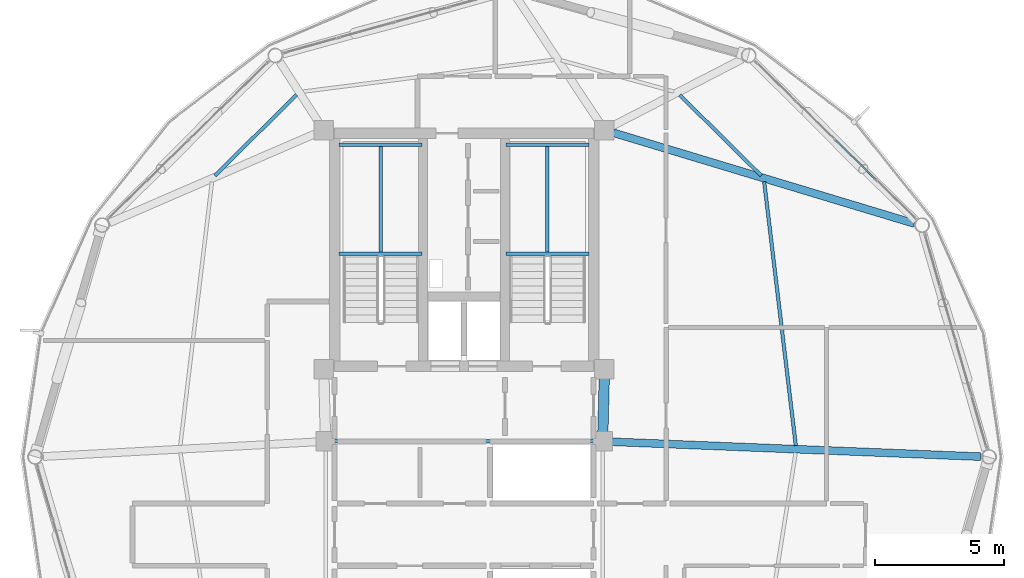
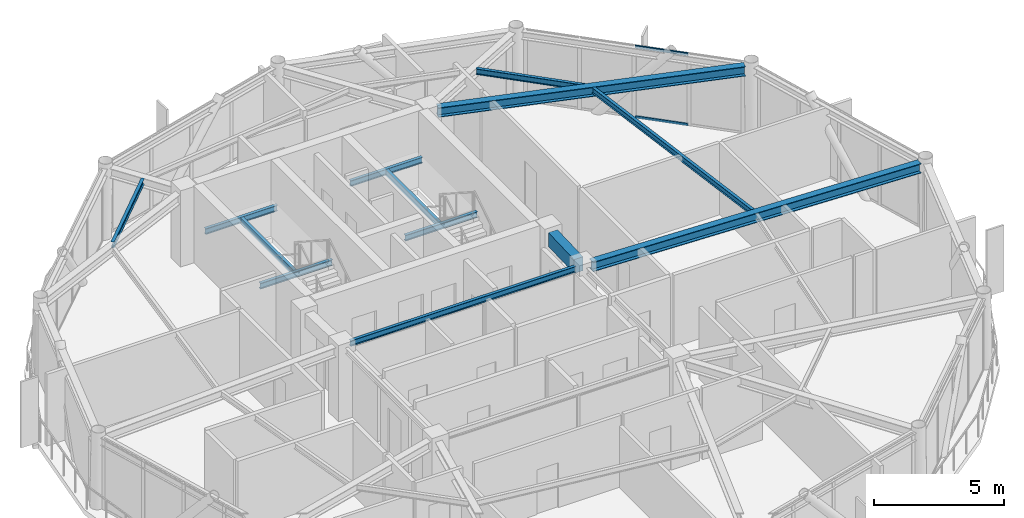
# One storey, part 13 of 25: 13 beams, 2 members, 1 element without a shape of its own.
"""IFC4 building model written with IfcOpenShell, lengths in metres."""

from ifc_helpers import new_model, si_unit, direction, frame, origin, origin_2d, place, context, subcontext, project, spatial, rectangle, hollow_rectangle, i_section, extrude, material, layer, layer_set, material_profile, profile_set, type_object, element, aggregate, save


model = new_model("IFC4")

# Units and contexts
model_context = context("Model", 3, precision=1e-05, world=origin(), true_north=direction((0.0, 1.0)))
body_context = subcontext(model_context, "Body", "Model", "MODEL_VIEW")
ifc_project = project(units=[si_unit("LENGTHUNIT", "METRE"), si_unit("AREAUNIT", "SQUARE_METRE"), si_unit("VOLUMEUNIT", "CUBIC_METRE"), si_unit("PLANEANGLEUNIT", "RADIAN"), si_unit("MASSUNIT", "GRAM", prefix="KILO")], contexts=[model_context])

# Site, building, storey
site_placement = place(None, origin())
site = spatial("IfcSite", under=ifc_project, at=site_placement, CompositionType="ELEMENT")
building_placement = place(site_placement, origin())
building = spatial("IfcBuilding", under=site, at=building_placement, Name="Varnakorn Sky Granary", CompositionType="ELEMENT")
storey_placement = place(building_placement, frame((0.0, 0.0, 252.60009765625)))
storey = spatial("IfcBuildingStorey", under=building, at=storey_placement, Name="L64", CompositionType="ELEMENT", Elevation=252.60009765625)

# Beams
ifc_material_1 = material(Name="Concrete C50/60", Category="concrete")
ifc_material_profile_1 = material_profile(ifc_material_1, rectangle(XDim=0.39990234375, YDim=0.64990234375, at=origin_2d()), Name="RC 400x650")
ifc_profile_set_1 = profile_set([ifc_material_profile_1], Name="Concrete C50/60")
beam_type_1 = type_object("IfcBeamType", Name="BM-LIN-650", PredefinedType="LINTEL", material=ifc_profile_set_1)
beam_1_placement = place(storey_placement, frame((8.4111328125, 3.025146484375, 3.034912109375), z_axis=(-0.025227817192, -0.999681727971, 0.0), x_axis=(0.999681727971, -0.025227817192, 0.0)))
element("IfcBeam", 1, at=beam_1_placement, inside=storey, type_object=beam_type_1, Name="Core Spine Framing Beam 2 L64", PredefinedType="LINTEL", context=body_context, shape_type="SweptSolid", body=[
    extrude(rectangle(XDim=0.39990234375, YDim=0.64990234375, at=origin_2d()), origin(), (0.0, 0.0, 1.0), 2.071044921875),
])
ifc_material_2 = material(Name="Steel S355JR", Category="steel")
ifc_material_profile_2 = material_profile(ifc_material_2, i_section(OverallWidth=0.135009765625, OverallDepth=0.27001953125, WebThickness=0.006591796875, FlangeThickness=0.01025390625, at=origin_2d()), Name="IPE 270")
ifc_profile_set_2 = profile_set([ifc_material_profile_2], Name="Steel S355JR")
beam_type_2 = type_object("IfcBeamType", Name="BM-LND-270", PredefinedType="BEAM", material=ifc_profile_set_2)
for number, where, z_axis, x_axis, name in (
    (2, (-1.820068359375, 7.840087890625, 1.46484375), (1.0, 0.0, 0.0), (0.0, 1.0, 0.0), "Stair ST-1 Landing Trimmer Beam A L64-1"),
    (3, (-1.820068359375, 12.06005859375, 1.46484375), (1.0, 0.0, 0.0), (0.0, 1.0, 0.0), "Stair ST-1 Landing Trimmer Beam B L64-1"),
):
    element("IfcBeam", number, at=place(storey_placement, frame(where, z_axis=z_axis, x_axis=x_axis)), inside=storey, type_object=beam_type_2, Name=name, PredefinedType="BEAM", context=body_context, shape_type="SweptSolid", body=[
        extrude(i_section(OverallWidth=0.135009765625, OverallDepth=0.27001953125, WebThickness=0.006591796875, FlangeThickness=0.01025390625, at=origin_2d()), origin(), (0.0, 0.0, 1.0), 3.199951171875),
    ])
beam_2_placement = place(storey_placement, frame((-0.219970703125, 7.840087890625, 1.46484375), z_axis=(0.0, 1.0, 0.0), x_axis=(-1.0, 0.0, 0.0)))
element("IfcBeam", 4, at=beam_2_placement, inside=storey, type_object=beam_type_2, Name="Stair ST-1 Landing Cross Beam C L64-1", PredefinedType="BEAM", context=body_context, shape_type="SweptSolid", body=[
    extrude(i_section(OverallWidth=0.135009765625, OverallDepth=0.27001953125, WebThickness=0.006591796875, FlangeThickness=0.01025390625, at=origin_2d()), origin(), (0.0, 0.0, 1.0), 4.219970703125),
])
for number, where, z_axis, x_axis, name in (
    (5, (4.6201171875, 7.840087890625, 1.46484375), (1.0, 0.0, 0.0), (0.0, 1.0, 0.0), "Stair ST-2 Landing Trimmer Beam A L64-1"),
    (6, (4.6201171875, 12.06005859375, 1.46484375), (1.0, 0.0, 0.0), (0.0, 1.0, 0.0), "Stair ST-2 Landing Trimmer Beam B L64-1"),
):
    element("IfcBeam", number, at=place(storey_placement, frame(where, z_axis=z_axis, x_axis=x_axis)), inside=storey, type_object=beam_type_2, Name=name, PredefinedType="BEAM", context=body_context, shape_type="SweptSolid", body=[
        extrude(i_section(OverallWidth=0.135009765625, OverallDepth=0.27001953125, WebThickness=0.006591796875, FlangeThickness=0.01025390625, at=origin_2d()), origin(), (0.0, 0.0, 1.0), 3.199951171875),
    ])
beam_3_placement = place(storey_placement, frame((6.219970703125, 7.840087890625, 1.46484375), z_axis=(0.0, 1.0, 0.0), x_axis=(-1.0, 0.0, 0.0)))
element("IfcBeam", 7, at=beam_3_placement, inside=storey, type_object=beam_type_2, Name="Stair ST-2 Landing Cross Beam C L64-1", PredefinedType="BEAM", context=body_context, shape_type="SweptSolid", body=[
    extrude(i_section(OverallWidth=0.135009765625, OverallDepth=0.27001953125, WebThickness=0.006591796875, FlangeThickness=0.01025390625, at=origin_2d()), origin(), (0.0, 0.0, 1.0), 4.219970703125),
])
ifc_material_profile_3 = material_profile(ifc_material_2, i_section(OverallWidth=0.300048828125, OverallDepth=0.449951171875, WebThickness=0.013916015625, FlangeThickness=0.02587890625, at=origin_2d()), Name="HE 450 B")
ifc_profile_set_3 = profile_set([ifc_material_profile_3], Name="Steel S355JR")
beam_type_3 = type_object("IfcBeamType", Name="BM-RAD-Z5", PredefinedType="BEAM", material=ifc_profile_set_3)
beam_4_placement = place(storey_placement, frame((8.70458984375, 0.585693359375, 3.135009765625), z_axis=(0.999186031519, -0.040339489547, 0.0), x_axis=(0.040339489547, 0.999186031519, 0.0)))
element("IfcBeam", 8, at=beam_4_placement, inside=storey, type_object=beam_type_3, Name="Radial Floor Girder RG01 L64", PredefinedType="BEAM", context=body_context, shape_type="SweptSolid", body=[
    extrude(i_section(OverallWidth=0.300048828125, OverallDepth=0.449951171875, WebThickness=0.013916015625, FlangeThickness=0.02587890625, at=origin_2d()), origin(), (0.0, 0.0, 1.0), 14.2529296875),
])
beam_5_placement = place(storey_placement, frame((8.760009765625, 12.517578125, 3.135009765625), z_axis=(0.957370016457, -0.288864417311, 0.0), x_axis=(0.288864417311, 0.957370016457, 0.0)))
element("IfcBeam", 9, at=beam_5_placement, inside=storey, type_object=beam_type_3, Name="Radial Floor Girder RG02 L64", PredefinedType="BEAM", context=body_context, shape_type="SweptSolid", body=[
    extrude(i_section(OverallWidth=0.300048828125, OverallDepth=0.449951171875, WebThickness=0.013916015625, FlangeThickness=0.02587890625, at=origin_2d()), origin(), (0.0, 0.0, 1.0), 12.137451171875),
])
ifc_material_profile_4 = material_profile(ifc_material_2, i_section(OverallWidth=0.135009765625, OverallDepth=0.27001953125, WebThickness=0.006591796875, FlangeThickness=0.01025390625, at=origin_2d()), Name="IPE 270")
ifc_profile_set_4 = profile_set([ifc_material_profile_4], Name="Steel S355JR")
beam_type_4 = type_object("IfcBeamType", Name="BM-SEC-Z5", PredefinedType="BEAM", material=ifc_profile_set_4)
beam_6_placement = place(storey_placement, frame((15.80859375, 0.437255859375, 3.224853515625), z_axis=(-0.119081423469, 0.992884492066, 0.0), x_axis=(-0.992884492066, -0.119081423469, 0.0)))
element("IfcBeam", 10, at=beam_6_placement, inside=storey, type_object=beam_type_4, Name="Secondary Floor Chord Beam MSB01 L64", PredefinedType="BEAM", context=body_context, shape_type="SweptSolid", body=[
    extrude(i_section(OverallWidth=0.135009765625, OverallDepth=0.27001953125, WebThickness=0.006591796875, FlangeThickness=0.01025390625, at=origin_2d()), origin(), (0.0, 0.0, 1.0), 10.26123046875),
])
beam_7_placement = place(storey_placement, frame((14.470458984375, 10.86279296875, 3.224853515625), z_axis=(-0.710717702885, 0.703477325012, 0.0), x_axis=(-0.703477325012, -0.710717702885, 0.0)))
element("IfcBeam", 11, at=beam_7_placement, inside=storey, type_object=beam_type_4, Name="Secondary Floor Chord Beam MSB02 L64", PredefinedType="BEAM", context=body_context, shape_type="SweptSolid", body=[
    extrude(i_section(OverallWidth=0.135009765625, OverallDepth=0.27001953125, WebThickness=0.006591796875, FlangeThickness=0.01025390625, at=origin_2d()), origin(), (0.0, 0.0, 1.0), 4.417236328125),
])
beam_8_placement = place(storey_placement, frame((-3.465087890625, 13.9873046875, 3.224853515625), z_axis=(-0.709876437018, -0.704326234189, 0.0), x_axis=(0.704326234189, -0.709876437018, 0.0)))
element("IfcBeam", 12, at=beam_8_placement, inside=storey, type_object=beam_type_4, Name="Secondary Floor Chord Beam MSB05 L64", PredefinedType="BEAM", context=body_context, shape_type="SweptSolid", body=[
    extrude(i_section(OverallWidth=0.135009765625, OverallDepth=0.27001953125, WebThickness=0.006591796875, FlangeThickness=0.01025390625, at=origin_2d()), origin(), (0.0, 0.0, 1.0), 4.44287109375),
])
beam_9_placement = place(storey_placement, frame((-1.9951171875, 0.60009765625, 3.224853515625), z_axis=(1.0, 0.0, 0.0), x_axis=(0.0, 1.0, 0.0)))
element("IfcBeam", 13, at=beam_9_placement, inside=storey, type_object=beam_type_4, Name="Core Spine Framing Beam 5 L64", PredefinedType="BEAM", context=body_context, shape_type="SweptSolid", body=[
    extrude(i_section(OverallWidth=0.135009765625, OverallDepth=0.27001953125, WebThickness=0.006591796875, FlangeThickness=0.01025390625, at=origin_2d()), origin(), (0.0, 0.0, 1.0), 9.990234375),
])

# Curtain wall, members
ifc_material_3 = material(Name="Anodised Bronze Aluminium Alloy 6063-T6", Category="aluminium")
ifc_layer = layer(ifc_material_3, 0.159912109375, Name="Anodised Bronze Aluminium Alloy 6063-T6")
ifc_layer_set = layer_set([ifc_layer], Name="Anodised Bronze Aluminium Alloy 6063-T6")
curtain_wall_type = type_object("IfcCurtainWallType", Name="CW-OFF-1", PredefinedType="USERDEFINED", material=ifc_layer_set)
curtain_wall_placement = place(storey_placement, origin())
curtain_wall = element("IfcCurtainWall", 14, at=curtain_wall_placement, inside=storey, type_object=curtain_wall_type, Name="Unitised Curtain Wall CW6 CW-L64-B02", ObjectType="CURTAIN WALL", PredefinedType="USERDEFINED")
ifc_material_profile_5 = material_profile(ifc_material_3, hollow_rectangle(XDim=0.06494140625, YDim=0.1201171875, WallThickness=0.00341796875, at=origin_2d()), Name="ALU TRAN 65x120")
ifc_profile_set_5 = profile_set([ifc_material_profile_5], Name="Anodised Bronze Aluminium Alloy 6063-T6")
member_type = type_object("IfcMemberType", Name="CW-OFF-1-TRAN", PredefinedType="USERDEFINED", material=ifc_profile_set_5)
member_1_placement = place(storey_placement, frame((17.366943359375, 12.205810546875, 0.032470703125), z_axis=(0.714653980402, -0.699478154266, 0.0), x_axis=(0.699478154266, 0.714653980402, 0.0)))
member_1 = element("IfcMember", 15, at=member_1_placement, type_object=member_type, Name="CW6 transom 3.1", ObjectType="TRANSOM", PredefinedType="USERDEFINED", context=body_context, shape_type="SweptSolid", body=[
    extrude(hollow_rectangle(XDim=0.06494140625, YDim=0.1201171875, WallThickness=0.00341796875, at=origin_2d()), origin(), (0.0, 0.0, 1.0), 2.107421875),
])
member_2_placement = place(storey_placement, frame((17.366943359375, 12.205810546875, 3.327392578125), z_axis=(0.714653980402, -0.699478154266, 0.0), x_axis=(0.699478154266, 0.714653980402, 0.0)))
member_2 = element("IfcMember", 16, at=member_2_placement, type_object=member_type, Name="CW6 transom 3.2", ObjectType="TRANSOM", PredefinedType="USERDEFINED", context=body_context, shape_type="SweptSolid", body=[
    extrude(hollow_rectangle(XDim=0.06494140625, YDim=0.1201171875, WallThickness=0.00341796875, at=origin_2d()), origin(), (0.0, 0.0, 1.0), 2.107421875),
])
aggregate(curtain_wall, [member_1, member_2])

save(model, "model.ifc")
